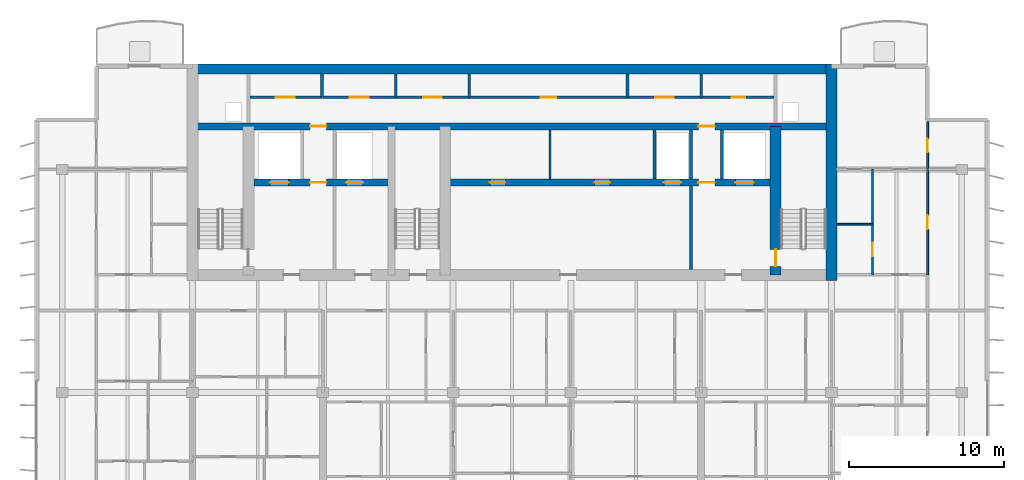
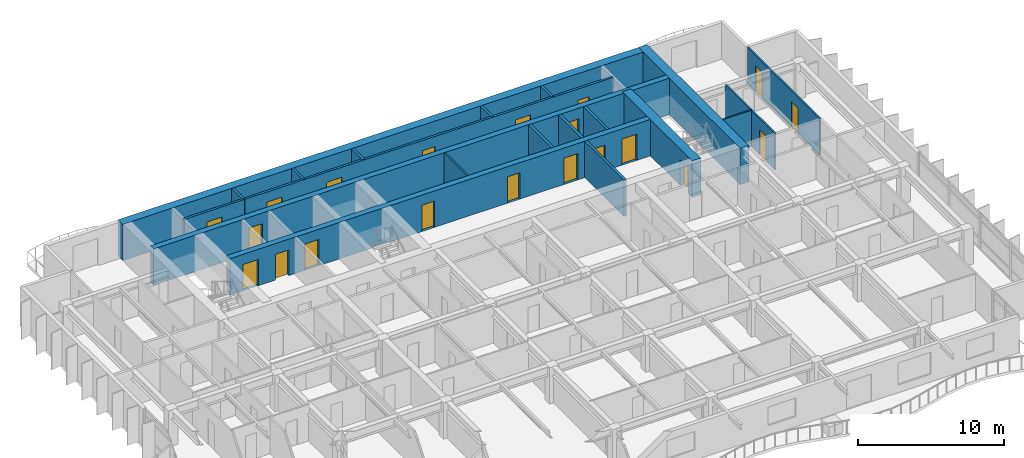
# One storey, part 10 of 16: 20 doors, 20 walls, 20 openings.
"""IFC4 building model written with IfcOpenShell, lengths in metres."""

from ifc_helpers import new_model, si_unit, direction, frame, frame_2d, origin, place, context, subcontext, project, spatial, rectangle, extrude, material, layer, layer_set, type_object, element, fill, save


model = new_model("IFC4")

# Units and contexts
model_context = context("Model", 3, precision=1e-05, world=origin(), true_north=direction((0.0, 1.0)))
body_context = subcontext(model_context, "Body", "Model", "MODEL_VIEW")
ifc_project = project(units=[si_unit("LENGTHUNIT", "METRE"), si_unit("AREAUNIT", "SQUARE_METRE"), si_unit("VOLUMEUNIT", "CUBIC_METRE"), si_unit("PLANEANGLEUNIT", "RADIAN"), si_unit("MASSUNIT", "GRAM", prefix="KILO")], contexts=[model_context])

# Site, building, storey
site_placement = place(None, origin())
site = spatial("IfcSite", under=ifc_project, at=site_placement, CompositionType="ELEMENT")
building_placement = place(site_placement, origin())
building = spatial("IfcBuilding", under=site, at=building_placement, Name="Caelmar Bay Residences", CompositionType="ELEMENT")
storey_placement = place(building_placement, frame((0.0, 0.0, 252.89990234375)))
storey = spatial("IfcBuildingStorey", under=building, at=storey_placement, Name="L71", CompositionType="ELEMENT", Elevation=252.89990234375)

# Wall
ifc_material_1 = material(Name="Concrete f'c 55 MPa (8,000 psi)", Category="concrete")
ifc_layer_1 = layer(ifc_material_1, 0.699951171875)
ifc_layer_set_1 = layer_set([ifc_layer_1], Name="Concrete f'c 55 MPa (8,000 psi)")
wall_type_1 = type_object("IfcWallType", Name="SW-COR-700", PredefinedType="SHEAR", material=ifc_layer_set_1)
wall_1_placement = place(storey_placement, frame((59.5, 36.64990234375, 0.0), z_axis=(0.0, 0.0, 1.0), x_axis=(0.0, 1.0, 0.0)))
element("IfcWall", 1, at=wall_1_placement, inside=storey, type_object=wall_type_1, Name="L71 Rear Core East Shear Wall", PredefinedType="SHEAR", context=body_context, shape_type="SweptSolid", body=[
    extrude(rectangle(XDim=13.9501953125, YDim=0.699951171875, at=frame_2d((6.97509765625, 0.0))), origin(), (0.0, 0.0, 1.0), 3.050048828125),
])

# Wall, opening, door
wall_2_placement = place(storey_placement, frame((55.89990234375, 37.0, 0.0), z_axis=(0.0, 0.0, 1.0), x_axis=(0.0, 1.0, 0.0)))
wall_2 = element("IfcWall", 2, at=wall_2_placement, inside=storey, type_object=wall_type_1, Name="L71 Core Structural Web Wall ST2W", PredefinedType="SHEAR", context=body_context, shape_type="SweptSolid", body=[
    extrude(rectangle(XDim=9.574951171875, YDim=0.699951171875, at=frame_2d((4.78759765625, 0.0))), origin(), (0.0, 0.0, 1.0), 3.050048828125),
])
opening_1_placement = place(wall_2_placement, frame((0.550048828125, 0.0, 0.0)))
opening_1 = element("IfcOpeningElement", 3, at=opening_1_placement, cuts=wall_2, Name="Opening D-L71-110", PredefinedType="OPENING", context=body_context, shape_type="SweptSolid", body=[
    extrude(rectangle(XDim=1.10009765625, YDim=2.14990234375, at=frame_2d((0.550048828125, 1.074951171875))), frame((0.0, 0.35986328125, 0.0), z_axis=(0.0, -1.0, 0.0), x_axis=(1.0, 0.0, 0.0)), (0.0, 0.0, 1.0), 0.719970703125),
])
ifc_material_2 = material(Name="Fire-rated steel and walnut architectural door assembly", Category="steel")
ifc_layer_2 = layer(ifc_material_2, 0.050048828125)
ifc_layer_set_2 = layer_set([ifc_layer_2], Name="Fire-rated steel and walnut architectural door assembly")
door_type_1 = type_object("IfcDoorType", Name="D-STAIR-1100", OperationType="NOTDEFINED", PredefinedType="DOOR", material=ifc_layer_set_2)
door_1_placement = place(opening_1_placement, origin())
door_1 = element("IfcDoor", 4, at=door_1_placement, inside=storey, type_object=door_type_1, Name="L71 Firefighting Lobby East Door", OperationType="SINGLE_SWING_LEFT", OverallHeight=2.14990234375, OverallWidth=1.10009765625, PredefinedType="DOOR", context=body_context, shape_type="SweptSolid", body=[
    extrude(rectangle(XDim=1.10009765625, YDim=2.14990234375, at=frame_2d((0.550048828125, 1.074951171875))), frame((0.0, 0.02490234375, 0.0), z_axis=(0.0, -1.0, 0.0), x_axis=(1.0, 0.0, 0.0)), (0.0, 0.0, 1.0), 0.050048828125),
])
fill(opening_1, door_1)

# Wall
ifc_layer_3 = layer(ifc_material_1, 0.64990234375)
ifc_layer_set_3 = layer_set([ifc_layer_3], Name="Concrete f'c 55 MPa (8,000 psi)")
wall_type_2 = type_object("IfcWallType", Name="SW-CORN-650", PredefinedType="SHEAR", material=ifc_layer_set_3)
wall_3_placement = place(storey_placement, frame((17.949951171875, 50.27490234375, 0.0), z_axis=(0.0, 0.0, 1.0), x_axis=(1.0, 0.0, 0.0)))
element("IfcWall", 5, at=wall_3_placement, inside=storey, type_object=wall_type_2, Name="L71 Rear Core North Shear Wall", PredefinedType="SHEAR", context=body_context, shape_type="SweptSolid", body=[
    extrude(rectangle(XDim=41.900146484375, YDim=0.64990234375, at=frame_2d((20.9501953125, 0.0))), origin(), (0.0, 0.0, 1.0), 3.050048828125),
])

# Wall, openings, doors
ifc_material_3 = material(Name="Concrete f'c 70 MPa (10,000 psi)", Category="concrete")
ifc_layer_4 = layer(ifc_material_3, 0.449951171875)
ifc_layer_set_4 = layer_set([ifc_layer_4], Name="Concrete f'c 70 MPa (10,000 psi)")
wall_type_3 = type_object("IfcWallType", Name="SW-WEB-450", PredefinedType="SHEAR", material=ifc_layer_set_4)
wall_4_placement = place(storey_placement, frame((22.25, 42.949951171875, 0.0), z_axis=(0.0, 0.0, 1.0), x_axis=(1.0, 0.0, 0.0)))
wall_4 = element("IfcWall", 6, at=wall_4_placement, inside=storey, type_object=wall_type_3, Name="L71 Core Structural Web Wall LFR", PredefinedType="SHEAR", context=body_context, shape_type="SweptSolid", body=[
    extrude(rectangle(XDim=33.300048828125, YDim=0.449951171875, at=frame_2d((16.64990234375, 0.0))), origin(), (0.0, 0.0, 1.0), 3.050048828125),
])
opening_2_placement = place(wall_4_placement, frame((1.050048828125, 0.0, 0.0)))
opening_2 = element("IfcOpeningElement", 7, at=opening_2_placement, cuts=wall_4, Name="Opening LD2", PredefinedType="OPENING", context=body_context, shape_type="SweptSolid", body=[
    extrude(rectangle(XDim=1.199951171875, YDim=2.199951171875, at=frame_2d((0.60009765625, 1.10009765625))), frame((0.0, 0.23486328125, 0.0), z_axis=(0.0, -1.0, 0.0), x_axis=(1.0, 0.0, 0.0)), (0.0, 0.0, 1.0), 0.469970703125),
])
opening_3_placement = place(wall_4_placement, frame((31.050048828125, 0.0, 0.0)))
opening_3 = element("IfcOpeningElement", 8, at=opening_3_placement, cuts=wall_4, Name="Opening LD2", PredefinedType="OPENING", context=body_context, shape_type="SweptSolid", body=[
    extrude(rectangle(XDim=1.199951171875, YDim=2.199951171875, at=frame_2d((0.60009765625, 1.10009765625))), frame((0.0, 0.23486328125, 0.0), z_axis=(0.0, -1.0, 0.0), x_axis=(1.0, 0.0, 0.0)), (0.0, 0.0, 1.0), 0.469970703125),
])
opening_4_placement = place(wall_4_placement, frame((26.449951171875, 0.0, 0.0)))
opening_4 = element("IfcOpeningElement", 9, at=opening_4_placement, cuts=wall_4, Name="Opening LD1", PredefinedType="OPENING", context=body_context, shape_type="SweptSolid", body=[
    extrude(rectangle(XDim=1.10009765625, YDim=2.199951171875, at=frame_2d((0.550048828125, 1.10009765625))), frame((0.0, 0.23486328125, 0.0), z_axis=(0.0, -1.0, 0.0), x_axis=(1.0, 0.0, 0.0)), (0.0, 0.0, 1.0), 0.469970703125),
])
opening_5_placement = place(wall_4_placement, frame((5.949951171875, 0.0, 0.0)))
opening_5 = element("IfcOpeningElement", 10, at=opening_5_placement, cuts=wall_4, Name="Opening LD1", PredefinedType="OPENING", context=body_context, shape_type="SweptSolid", body=[
    extrude(rectangle(XDim=1.10009765625, YDim=2.199951171875, at=frame_2d((0.550048828125, 1.10009765625))), frame((0.0, 0.23486328125, 0.0), z_axis=(0.0, -1.0, 0.0), x_axis=(1.0, 0.0, 0.0)), (0.0, 0.0, 1.0), 0.469970703125),
])
opening_6_placement = place(wall_4_placement, frame((3.625, 0.0, 0.0)))
opening_6 = element("IfcOpeningElement", 11, at=opening_6_placement, cuts=wall_4, Name="Opening D-L71-108", PredefinedType="OPENING", context=body_context, shape_type="SweptSolid", body=[
    extrude(rectangle(XDim=1.050048828125, YDim=2.14990234375, at=frame_2d((0.52490234375, 1.074951171875))), frame((0.0, 0.23486328125, 0.0), z_axis=(0.0, -1.0, 0.0), x_axis=(1.0, 0.0, 0.0)), (0.0, 0.0, 1.0), 0.469970703125),
])
opening_7_placement = place(wall_4_placement, frame((28.675048828125, 0.0, 0.0)))
opening_7 = element("IfcOpeningElement", 12, at=opening_7_placement, cuts=wall_4, Name="Opening D-L71-111", PredefinedType="OPENING", context=body_context, shape_type="SweptSolid", body=[
    extrude(rectangle(XDim=1.050048828125, YDim=2.14990234375, at=frame_2d((0.52490234375, 1.074951171875))), frame((0.0, 0.23486328125, 0.0), z_axis=(0.0, -1.0, 0.0), x_axis=(1.0, 0.0, 0.0)), (0.0, 0.0, 1.0), 0.469970703125),
])
opening_8_placement = place(wall_4_placement, frame((15.22509765625, 0.0, 0.0)))
opening_8 = element("IfcOpeningElement", 13, at=opening_8_placement, cuts=wall_4, Name="Opening D-L71-114", PredefinedType="OPENING", context=body_context, shape_type="SweptSolid", body=[
    extrude(rectangle(XDim=1.0, YDim=2.199951171875, at=frame_2d((0.5, 1.10009765625))), frame((0.0, 0.23486328125, 0.0), z_axis=(0.0, -1.0, 0.0), x_axis=(1.0, 0.0, 0.0)), (0.0, 0.0, 1.0), 0.469970703125),
])
opening_9_placement = place(wall_4_placement, frame((21.97509765625, 0.0, 0.0)))
opening_9 = element("IfcOpeningElement", 14, at=opening_9_placement, cuts=wall_4, Name="Opening D-L71-115", PredefinedType="OPENING", context=body_context, shape_type="SweptSolid", body=[
    extrude(rectangle(XDim=1.0, YDim=2.199951171875, at=frame_2d((0.5, 1.10009765625))), frame((0.0, 0.23486328125, 0.0), z_axis=(0.0, -1.0, 0.0), x_axis=(1.0, 0.0, 0.0)), (0.0, 0.0, 1.0), 0.469970703125),
])
ifc_layer_5 = layer(ifc_material_2, 0.050048828125)
ifc_layer_set_5 = layer_set([ifc_layer_5], Name="Fire-rated steel and walnut architectural door assembly")
door_type_2 = type_object("IfcDoorType", Name="D-FSAE-1050", OperationType="NOTDEFINED", PredefinedType="DOOR", material=ifc_layer_set_5)
door_2_placement = place(opening_6_placement, origin())
door_2 = element("IfcDoor", 15, at=door_2_placement, inside=storey, type_object=door_type_2, Name="L71 Firefighting Lobby West Door", OperationType="SINGLE_SWING_LEFT", OverallHeight=2.14990234375, OverallWidth=1.050048828125, PredefinedType="DOOR", context=body_context, shape_type="SweptSolid", body=[
    extrude(rectangle(XDim=1.050048828125, YDim=2.14990234375, at=frame_2d((0.52490234375, 1.074951171875))), frame((0.0, 0.02490234375, 0.0), z_axis=(0.0, -1.0, 0.0), x_axis=(1.0, 0.0, 0.0)), (0.0, 0.0, 1.0), 0.050048828125),
])
fill(opening_6, door_2)
door_3_placement = place(opening_7_placement, origin())
door_3 = element("IfcDoor", 16, at=door_3_placement, inside=storey, type_object=door_type_2, Name="L71 Firefighting Lobby East Door", OperationType="SINGLE_SWING_RIGHT", OverallHeight=2.14990234375, OverallWidth=1.050048828125, PredefinedType="DOOR", context=body_context, shape_type="SweptSolid", body=[
    extrude(rectangle(XDim=1.050048828125, YDim=2.14990234375, at=frame_2d((0.52490234375, 1.074951171875))), frame((0.0, 0.02490234375, 0.0), z_axis=(0.0, -1.0, 0.0), x_axis=(1.0, 0.0, 0.0)), (0.0, 0.0, 1.0), 0.050048828125),
])
fill(opening_7, door_3)
ifc_material_4 = material(Name="Brushed bronze stainless-steel fire-rated lift landing doors", Category="steel")
ifc_layer_6 = layer(ifc_material_4, 0.050048828125)
ifc_layer_set_6 = layer_set([ifc_layer_6], Name="Brushed bronze stainless-steel fire-rated lift landing doors")
door_type_3 = type_object("IfcDoorType", Name="D-LND-1100", OperationType="DOUBLE_DOOR_SLIDING", PredefinedType="DOOR", material=ifc_layer_set_6)
door_4_placement = place(opening_4_placement, origin())
door_4 = element("IfcDoor", 17, at=door_4_placement, inside=storey, type_object=door_type_3, Name="L71 LP6 Sliding Landing Door", OperationType="DOUBLE_DOOR_SLIDING", OverallHeight=2.199951171875, OverallWidth=1.10009765625, PredefinedType="DOOR", context=body_context, shape_type="SweptSolid", body=[
    extrude(rectangle(XDim=1.10009765625, YDim=2.199951171875, at=frame_2d((0.550048828125, 1.10009765625))), frame((0.0, 0.02490234375, 0.0), z_axis=(0.0, -1.0, 0.0), x_axis=(1.0, 0.0, 0.0)), (0.0, 0.0, 1.0), 0.050048828125),
])
fill(opening_4, door_4)
door_5_placement = place(opening_5_placement, origin())
door_5 = element("IfcDoor", 18, at=door_5_placement, inside=storey, type_object=door_type_3, Name="L71 LP7 Sliding Landing Door", OperationType="DOUBLE_DOOR_SLIDING", OverallHeight=2.199951171875, OverallWidth=1.10009765625, PredefinedType="DOOR", context=body_context, shape_type="SweptSolid", body=[
    extrude(rectangle(XDim=1.10009765625, YDim=2.199951171875, at=frame_2d((0.550048828125, 1.10009765625))), frame((0.0, 0.02490234375, 0.0), z_axis=(0.0, -1.0, 0.0), x_axis=(1.0, 0.0, 0.0)), (0.0, 0.0, 1.0), 0.050048828125),
])
fill(opening_5, door_5)
ifc_material_5 = material(Name="Brushed stainless-steel FSAE sliding landing door", Category="steel")
ifc_layer_7 = layer(ifc_material_5, 0.050048828125)
ifc_layer_set_7 = layer_set([ifc_layer_7], Name="Brushed stainless-steel FSAE sliding landing door")
door_type_4 = type_object("IfcDoorType", Name="D-LND-1200", OperationType="DOUBLE_DOOR_SLIDING", PredefinedType="DOOR", material=ifc_layer_set_7)
door_6_placement = place(opening_2_placement, origin())
door_6 = element("IfcDoor", 19, at=door_6_placement, inside=storey, type_object=door_type_4, Name="L71 LF1 Sliding Landing Door", OperationType="DOUBLE_DOOR_SLIDING", OverallHeight=2.199951171875, OverallWidth=1.199951171875, PredefinedType="DOOR", context=body_context, shape_type="SweptSolid", body=[
    extrude(rectangle(XDim=1.199951171875, YDim=2.199951171875, at=frame_2d((0.60009765625, 1.10009765625))), frame((0.0, 0.02490234375, 0.0), z_axis=(0.0, -1.0, 0.0), x_axis=(1.0, 0.0, 0.0)), (0.0, 0.0, 1.0), 0.050048828125),
])
fill(opening_2, door_6)
door_7_placement = place(opening_3_placement, origin())
door_7 = element("IfcDoor", 20, at=door_7_placement, inside=storey, type_object=door_type_4, Name="L71 LF2 Sliding Landing Door", OperationType="DOUBLE_DOOR_SLIDING", OverallHeight=2.199951171875, OverallWidth=1.199951171875, PredefinedType="DOOR", context=body_context, shape_type="SweptSolid", body=[
    extrude(rectangle(XDim=1.199951171875, YDim=2.199951171875, at=frame_2d((0.60009765625, 1.10009765625))), frame((0.0, 0.02490234375, 0.0), z_axis=(0.0, -1.0, 0.0), x_axis=(1.0, 0.0, 0.0)), (0.0, 0.0, 1.0), 0.050048828125),
])
fill(opening_3, door_7)
ifc_layer_8 = layer(ifc_material_2, 0.050048828125)
ifc_layer_set_8 = layer_set([ifc_layer_8], Name="Fire-rated steel and walnut architectural door assembly")
door_type_5 = type_object("IfcDoorType", Name="D-UNIT-1000", OperationType="NOTDEFINED", PredefinedType="DOOR", material=ifc_layer_set_8)
door_8_placement = place(opening_8_placement, origin())
door_8 = element("IfcDoor", 21, at=door_8_placement, inside=storey, type_object=door_type_5, Name="L71 Music Study Room Door", OperationType="SINGLE_SWING_LEFT", OverallHeight=2.199951171875, OverallWidth=1.0, PredefinedType="DOOR", context=body_context, shape_type="SweptSolid", body=[
    extrude(rectangle(XDim=1.0, YDim=2.199951171875, at=frame_2d((0.5, 1.10009765625))), frame((0.0, 0.02490234375, 0.0), z_axis=(0.0, -1.0, 0.0), x_axis=(1.0, 0.0, 0.0)), (0.0, 0.0, 1.0), 0.050048828125),
])
fill(opening_8, door_8)
door_9_placement = place(opening_9_placement, origin())
door_9 = element("IfcDoor", 22, at=door_9_placement, inside=storey, type_object=door_type_5, Name="L71 Board Meeting Room Door", OperationType="SINGLE_SWING_RIGHT", OverallHeight=2.199951171875, OverallWidth=1.0, PredefinedType="DOOR", context=body_context, shape_type="SweptSolid", body=[
    extrude(rectangle(XDim=1.0, YDim=2.199951171875, at=frame_2d((0.5, 1.10009765625))), frame((0.0, 0.02490234375, 0.0), z_axis=(0.0, -1.0, 0.0), x_axis=(1.0, 0.0, 0.0)), (0.0, 0.0, 1.0), 0.050048828125),
])
fill(opening_9, door_9)

wall_5_placement = place(storey_placement, frame((18.300048828125, 46.574951171875, 0.0), z_axis=(0.0, 0.0, 1.0), x_axis=(1.0, 0.0, 0.0)))
wall_5 = element("IfcWall", 23, at=wall_5_placement, inside=storey, type_object=wall_type_3, Name="L71 Core Structural Web Wall SRVS", PredefinedType="SHEAR", context=body_context, shape_type="SweptSolid", body=[
    extrude(rectangle(XDim=41.199951171875, YDim=0.449951171875, at=frame_2d((20.60009765625, 0.0))), origin(), (0.0, 0.0, 1.0), 3.050048828125),
])
opening_10_placement = place(wall_5_placement, frame((7.574951171875, 0.0, 0.0)))
opening_10 = element("IfcOpeningElement", 24, at=opening_10_placement, cuts=wall_5, Name="Opening D-L71-116", PredefinedType="OPENING", context=body_context, shape_type="SweptSolid", body=[
    extrude(rectangle(XDim=1.050048828125, YDim=2.14990234375, at=frame_2d((0.52490234375, 1.074951171875))), frame((0.0, 0.23486328125, 0.0), z_axis=(0.0, -1.0, 0.0), x_axis=(1.0, 0.0, 0.0)), (0.0, 0.0, 1.0), 0.469970703125),
])
opening_11_placement = place(wall_5_placement, frame((32.625, 0.0, 0.0)))
opening_11 = element("IfcOpeningElement", 25, at=opening_11_placement, cuts=wall_5, Name="Opening D-L71-117", PredefinedType="OPENING", context=body_context, shape_type="SweptSolid", body=[
    extrude(rectangle(XDim=1.050048828125, YDim=2.14990234375, at=frame_2d((0.52490234375, 1.074951171875))), frame((0.0, 0.23486328125, 0.0), z_axis=(0.0, -1.0, 0.0), x_axis=(1.0, 0.0, 0.0)), (0.0, 0.0, 1.0), 0.469970703125),
])
door_10_placement = place(opening_10_placement, origin())
door_10 = element("IfcDoor", 26, at=door_10_placement, inside=storey, type_object=door_type_2, Name="L71 Core Service Corridor Door", OperationType="SINGLE_SWING_LEFT", OverallHeight=2.14990234375, OverallWidth=1.050048828125, PredefinedType="DOOR", context=body_context, shape_type="SweptSolid", body=[
    extrude(rectangle(XDim=1.050048828125, YDim=2.14990234375, at=frame_2d((0.52490234375, 1.074951171875))), frame((0.0, 0.02490234375, 0.0), z_axis=(0.0, -1.0, 0.0), x_axis=(1.0, 0.0, 0.0)), (0.0, 0.0, 1.0), 0.050048828125),
])
fill(opening_10, door_10)
door_11_placement = place(opening_11_placement, origin())
door_11 = element("IfcDoor", 27, at=door_11_placement, inside=storey, type_object=door_type_2, Name="L71 Core Service Corridor Door", OperationType="SINGLE_SWING_RIGHT", OverallHeight=2.14990234375, OverallWidth=1.050048828125, PredefinedType="DOOR", context=body_context, shape_type="SweptSolid", body=[
    extrude(rectangle(XDim=1.050048828125, YDim=2.14990234375, at=frame_2d((0.52490234375, 1.074951171875))), frame((0.0, 0.02490234375, 0.0), z_axis=(0.0, -1.0, 0.0), x_axis=(1.0, 0.0, 0.0)), (0.0, 0.0, 1.0), 0.050048828125),
])
fill(opening_11, door_11)

# Walls
ifc_material_6 = material(Name="Double-stud acoustic fire-rated gypsum partition 180 mm")
ifc_layer_9 = layer(ifc_material_6, 0.179931640625)
ifc_layer_set_9 = layer_set([ifc_layer_9], Name="Double-stud acoustic fire-rated gypsum partition 180 mm")
wall_type_4 = type_object("IfcWallType", Name="W-COR-200", PredefinedType="PARTITIONING", material=ifc_layer_set_9)
for number, where, z_axis, x_axis, name in (
    (28, (26.64990234375, 48.449951171875, 0.0), (0.0, 0.0, 1.0), (0.0, 1.0, 0.0), "L71 Partition Wall V020"),
    (29, (31.39990234375, 48.449951171875, 0.0), (0.0, 0.0, 1.0), (0.0, 1.0, 0.0), "L71 Partition Wall V028"),
    (30, (36.14990234375, 48.449951171875, 0.0), (0.0, 0.0, 1.0), (0.0, 1.0, 0.0), "L71 Partition Wall V034"),
    (31, (46.35009765625, 48.449951171875, 0.0), (0.0, 0.0, 1.0), (0.0, 1.0, 0.0), "L71 Partition Wall V041"),
    (32, (51.10009765625, 48.449951171875, 0.0), (0.0, 0.0, 1.0), (0.0, 1.0, 0.0), "L71 Partition Wall V051"),
):
    element("IfcWall", number, at=place(storey_placement, frame(where, z_axis=z_axis, x_axis=x_axis)), inside=storey, type_object=wall_type_4, Name=name, PredefinedType="PARTITIONING", context=body_context, shape_type="SweptSolid", body=[
        extrude(rectangle(XDim=1.505126953125, YDim=0.179931640625, at=frame_2d((0.75244140625, 0.0))), origin(), (0.0, 0.0, 1.0), 3.050048828125),
    ])

# Wall, opening, door
wall_6_placement = place(storey_placement, frame((21.89990234375, 48.449951171875, 0.0), z_axis=(0.0, 0.0, 1.0), x_axis=(1.0, 0.0, 0.0)))
wall_6 = element("IfcWall", 33, at=wall_6_placement, inside=storey, type_object=wall_type_4, Name="L71 Partition Wall H094", PredefinedType="PARTITIONING", context=body_context, shape_type="SweptSolid", body=[
    extrude(rectangle(XDim=4.75, YDim=0.179931640625, at=frame_2d((2.375, 0.0))), origin(), (0.0, 0.0, 1.0), 3.050048828125),
])
opening_12_placement = place(wall_6_placement, frame((1.77490234375, 0.0, 0.0)))
opening_12 = element("IfcOpeningElement", 34, at=opening_12_placement, cuts=wall_6, Name="Opening D-L71-118", PredefinedType="OPENING", context=body_context, shape_type="SweptSolid", body=[
    extrude(rectangle(XDim=1.199951171875, YDim=2.199951171875, at=frame_2d((0.60009765625, 1.10009765625))), frame((0.0, 0.099853515625, 0.0), z_axis=(0.0, -1.0, 0.0), x_axis=(1.0, 0.0, 0.0)), (0.0, 0.0, 1.0), 0.199951171875),
])
ifc_layer_10 = layer(ifc_material_2, 0.050048828125)
ifc_layer_set_10 = layer_set([ifc_layer_10], Name="Fire-rated steel and walnut architectural door assembly")
door_type_6 = type_object("IfcDoorType", Name="D-PLANT-1200", OperationType="NOTDEFINED", PredefinedType="DOOR", material=ifc_layer_set_10)
door_12_placement = place(opening_12_placement, origin())
door_12 = element("IfcDoor", 35, at=door_12_placement, inside=storey, type_object=door_type_6, Name="L71 Branch Panel Closet Door", OperationType="SINGLE_SWING_LEFT", OverallHeight=2.199951171875, OverallWidth=1.199951171875, PredefinedType="DOOR", context=body_context, shape_type="SweptSolid", body=[
    extrude(rectangle(XDim=1.199951171875, YDim=2.199951171875, at=frame_2d((0.60009765625, 1.10009765625))), frame((0.0, 0.02490234375, 0.0), z_axis=(0.0, -1.0, 0.0), x_axis=(1.0, 0.0, 0.0)), (0.0, 0.0, 1.0), 0.050048828125),
])
fill(opening_12, door_12)

# Wall, openings, doors
wall_7_placement = place(storey_placement, frame((26.699951171875, 48.449951171875, 0.0), z_axis=(0.0, 0.0, 1.0), x_axis=(1.0, 0.0, 0.0)))
wall_7 = element("IfcWall", 36, at=wall_7_placement, inside=storey, type_object=wall_type_4, Name="L71 Partition Wall H095", PredefinedType="PARTITIONING", context=body_context, shape_type="SweptSolid", body=[
    extrude(rectangle(XDim=29.199951171875, YDim=0.179931640625, at=frame_2d((14.60009765625, 0.0))), origin(), (0.0, 0.0, 1.0), 3.050048828125),
])
opening_13_placement = place(wall_7_placement, frame((1.75, 0.0, 0.0)))
opening_13 = element("IfcOpeningElement", 37, at=opening_13_placement, cuts=wall_7, Name="Opening D-L71-119", PredefinedType="OPENING", context=body_context, shape_type="SweptSolid", body=[
    extrude(rectangle(XDim=1.199951171875, YDim=2.199951171875, at=frame_2d((0.60009765625, 1.10009765625))), frame((0.0, 0.099853515625, 0.0), z_axis=(0.0, -1.0, 0.0), x_axis=(1.0, 0.0, 0.0)), (0.0, 0.0, 1.0), 0.199951171875),
])
opening_14_placement = place(wall_7_placement, frame((6.47509765625, 0.0, 0.0)))
opening_14 = element("IfcOpeningElement", 38, at=opening_14_placement, cuts=wall_7, Name="Opening D-L71-120", PredefinedType="OPENING", context=body_context, shape_type="SweptSolid", body=[
    extrude(rectangle(XDim=1.199951171875, YDim=2.199951171875, at=frame_2d((0.60009765625, 1.10009765625))), frame((0.0, 0.099853515625, 0.0), z_axis=(0.0, -1.0, 0.0), x_axis=(1.0, 0.0, 0.0)), (0.0, 0.0, 1.0), 0.199951171875),
])
opening_15_placement = place(wall_7_placement, frame((14.050048828125, 0.0, 0.0)))
opening_15 = element("IfcOpeningElement", 39, at=opening_15_placement, cuts=wall_7, Name="Opening D-L71-121", PredefinedType="OPENING", context=body_context, shape_type="SweptSolid", body=[
    extrude(rectangle(XDim=1.0, YDim=2.199951171875, at=frame_2d((0.5, 1.10009765625))), frame((0.0, 0.099853515625, 0.0), z_axis=(0.0, -1.0, 0.0), x_axis=(1.0, 0.0, 0.0)), (0.0, 0.0, 1.0), 0.199951171875),
])
opening_16_placement = place(wall_7_placement, frame((21.425048828125, 0.0, 0.0)))
opening_16 = element("IfcOpeningElement", 40, at=opening_16_placement, cuts=wall_7, Name="Opening D-L71-122", PredefinedType="OPENING", context=body_context, shape_type="SweptSolid", body=[
    extrude(rectangle(XDim=1.199951171875, YDim=2.199951171875, at=frame_2d((0.60009765625, 1.10009765625))), frame((0.0, 0.099853515625, 0.0), z_axis=(0.0, -1.0, 0.0), x_axis=(1.0, 0.0, 0.0)), (0.0, 0.0, 1.0), 0.199951171875),
])
opening_17_placement = place(wall_7_placement, frame((26.375, 0.0, 0.0)))
opening_17 = element("IfcOpeningElement", 41, at=opening_17_placement, cuts=wall_7, Name="Opening D-L71-123", PredefinedType="OPENING", context=body_context, shape_type="SweptSolid", body=[
    extrude(rectangle(XDim=0.85009765625, YDim=2.10009765625, at=frame_2d((0.425048828125, 1.050048828125))), frame((0.0, 0.099853515625, 0.0), z_axis=(0.0, -1.0, 0.0), x_axis=(1.0, 0.0, 0.0)), (0.0, 0.0, 1.0), 0.199951171875),
])
ifc_layer_11 = layer(ifc_material_2, 0.050048828125)
ifc_layer_set_11 = layer_set([ifc_layer_11], Name="Fire-rated steel and walnut architectural door assembly")
door_type_7 = type_object("IfcDoorType", Name="D-CORE-850", OperationType="NOTDEFINED", PredefinedType="DOOR", material=ifc_layer_set_11)
door_13_placement = place(opening_17_placement, origin())
door_13 = element("IfcDoor", 42, at=door_13_placement, inside=storey, type_object=door_type_7, Name="L71 Staff Restroom Door", OperationType="SINGLE_SWING_RIGHT", OverallHeight=2.10009765625, OverallWidth=0.85009765625, PredefinedType="DOOR", context=body_context, shape_type="SweptSolid", body=[
    extrude(rectangle(XDim=0.85009765625, YDim=2.10009765625, at=frame_2d((0.425048828125, 1.050048828125))), frame((0.0, 0.02490234375, 0.0), z_axis=(0.0, -1.0, 0.0), x_axis=(1.0, 0.0, 0.0)), (0.0, 0.0, 1.0), 0.050048828125),
])
fill(opening_17, door_13)
door_14_placement = place(opening_13_placement, origin())
door_14 = element("IfcDoor", 43, at=door_14_placement, inside=storey, type_object=door_type_6, Name="L71 Water Meter Closet Door", OperationType="SINGLE_SWING_RIGHT", OverallHeight=2.199951171875, OverallWidth=1.199951171875, PredefinedType="DOOR", context=body_context, shape_type="SweptSolid", body=[
    extrude(rectangle(XDim=1.199951171875, YDim=2.199951171875, at=frame_2d((0.60009765625, 1.10009765625))), frame((0.0, 0.02490234375, 0.0), z_axis=(0.0, -1.0, 0.0), x_axis=(1.0, 0.0, 0.0)), (0.0, 0.0, 1.0), 0.050048828125),
])
fill(opening_13, door_14)
door_15_placement = place(opening_14_placement, origin())
door_15 = element("IfcDoor", 44, at=door_15_placement, inside=storey, type_object=door_type_6, Name="L71 Low-Voltage Data Closet Door", OperationType="SINGLE_SWING_LEFT", OverallHeight=2.199951171875, OverallWidth=1.199951171875, PredefinedType="DOOR", context=body_context, shape_type="SweptSolid", body=[
    extrude(rectangle(XDim=1.199951171875, YDim=2.199951171875, at=frame_2d((0.60009765625, 1.10009765625))), frame((0.0, 0.02490234375, 0.0), z_axis=(0.0, -1.0, 0.0), x_axis=(1.0, 0.0, 0.0)), (0.0, 0.0, 1.0), 0.050048828125),
])
fill(opening_14, door_15)
door_16_placement = place(opening_16_placement, origin())
door_16 = element("IfcDoor", 45, at=door_16_placement, inside=storey, type_object=door_type_6, Name="L71 Valet Trunk Closet Door", OperationType="SINGLE_SWING_LEFT", OverallHeight=2.199951171875, OverallWidth=1.199951171875, PredefinedType="DOOR", context=body_context, shape_type="SweptSolid", body=[
    extrude(rectangle(XDim=1.199951171875, YDim=2.199951171875, at=frame_2d((0.60009765625, 1.10009765625))), frame((0.0, 0.02490234375, 0.0), z_axis=(0.0, -1.0, 0.0), x_axis=(1.0, 0.0, 0.0)), (0.0, 0.0, 1.0), 0.050048828125),
])
fill(opening_16, door_16)
door_17_placement = place(opening_15_placement, origin())
door_17 = element("IfcDoor", 46, at=door_17_placement, inside=storey, type_object=door_type_5, Name="L71 Mail Sorting Office Door", OperationType="SINGLE_SWING_RIGHT", OverallHeight=2.199951171875, OverallWidth=1.0, PredefinedType="DOOR", context=body_context, shape_type="SweptSolid", body=[
    extrude(rectangle(XDim=1.0, YDim=2.199951171875, at=frame_2d((0.5, 1.10009765625))), frame((0.0, 0.02490234375, 0.0), z_axis=(0.0, -1.0, 0.0), x_axis=(1.0, 0.0, 0.0)), (0.0, 0.0, 1.0), 0.050048828125),
])
fill(opening_15, door_17)

# Walls
ifc_material_7 = material(Name="Fire-rated masonry and gypsum shaftliner assembly 200 mm", Category="masonry")
ifc_layer_12 = layer(ifc_material_7, 0.199951171875)
ifc_layer_set_12 = layer_set([ifc_layer_12], Name="Fire-rated masonry and gypsum shaftliner assembly 200 mm")
wall_type_5 = type_object("IfcWallType", Name="W-FSAE-200", PredefinedType="PARTITIONING", material=ifc_layer_set_12)
wall_8_placement = place(storey_placement, frame((48.10009765625, 43.169921875, 0.0), z_axis=(0.0, 0.0, 1.0), x_axis=(0.0, 1.0, 0.0)))
element("IfcWall", 47, at=wall_8_placement, inside=storey, type_object=wall_type_5, Name="L71 Partition Wall V042", PredefinedType="PARTITIONING", context=body_context, shape_type="SweptSolid", body=[
    extrude(rectangle(XDim=3.18505859375, YDim=0.199951171875, at=frame_2d((1.592529296875, 0.0))), origin(), (0.0, 0.0, 1.0), 3.050048828125),
])
wall_9_placement = place(storey_placement, frame((50.449951171875, 37.344970703125, 0.0), z_axis=(0.0, 0.0, 1.0), x_axis=(0.0, 1.0, 0.0)))
element("IfcWall", 48, at=wall_9_placement, inside=storey, type_object=wall_type_5, Name="L71 Partition Wall V045", PredefinedType="PARTITIONING", context=body_context, shape_type="SweptSolid", body=[
    extrude(rectangle(XDim=5.385009765625, YDim=0.199951171875, at=frame_2d((2.6923828125, 0.0))), origin(), (0.0, 0.0, 1.0), 3.050048828125),
])
for number, where, z_axis, x_axis, name in (
    (49, (50.449951171875, 43.169921875, 0.0), (0.0, 0.0, 1.0), (0.0, 1.0, 0.0), "L71 Partition Wall V046"),
    (50, (52.449951171875, 43.169921875, 0.0), (0.0, 0.0, 1.0), (0.0, 1.0, 0.0), "L71 Partition Wall V052"),
):
    element("IfcWall", number, at=place(storey_placement, frame(where, z_axis=z_axis, x_axis=x_axis)), inside=storey, type_object=wall_type_5, Name=name, PredefinedType="PARTITIONING", context=body_context, shape_type="SweptSolid", body=[
        extrude(rectangle(XDim=3.18505859375, YDim=0.199951171875, at=frame_2d((1.592529296875, 0.0))), origin(), (0.0, 0.0, 1.0), 3.050048828125),
    ])
ifc_material_8 = material(Name="Acoustic metal-stud gypsum partition 120 mm")
ifc_layer_13 = layer(ifc_material_8, 0.1201171875)
ifc_layer_set_13 = layer_set([ifc_layer_13], Name="Acoustic metal-stud gypsum partition 120 mm")
wall_type_6 = type_object("IfcWallType", Name="W-PRT-120", PredefinedType="PARTITIONING", material=ifc_layer_set_13)
wall_10_placement = place(storey_placement, frame((41.35009765625, 43.169921875, 0.0), z_axis=(0.0, 0.0, 1.0), x_axis=(0.0, 1.0, 0.0)))
element("IfcWall", 51, at=wall_10_placement, inside=storey, type_object=wall_type_6, Name="L71 Partition Wall V037", PredefinedType="PARTITIONING", context=body_context, shape_type="SweptSolid", body=[
    extrude(rectangle(XDim=3.18505859375, YDim=0.1201171875, at=frame_2d((1.592529296875, 0.0))), origin(), (0.0, 0.0, 1.0), 3.050048828125),
])

# Wall, opening, door
wall_11_placement = place(storey_placement, frame((62.14990234375, 37.0, 0.0), z_axis=(0.0, 0.0, 1.0), x_axis=(0.0, 1.0, 0.0)))
wall_11 = element("IfcWall", 52, at=wall_11_placement, inside=storey, type_object=wall_type_6, Name="L71 Partition Wall V060", PredefinedType="PARTITIONING", context=body_context, shape_type="SweptSolid", body=[
    extrude(rectangle(XDim=6.800048828125, YDim=0.1201171875, at=frame_2d((3.39990234375, 0.0))), origin(), (0.0, 0.0, 1.0), 3.050048828125),
])
opening_18_placement = place(wall_11_placement, frame((1.20703125, 0.0, 0.0)))
opening_18 = element("IfcOpeningElement", 53, at=opening_18_placement, cuts=wall_11, Name="Opening D-L71-172", PredefinedType="OPENING", context=body_context, shape_type="SweptSolid", body=[
    extrude(rectangle(XDim=0.85009765625, YDim=2.10009765625, at=frame_2d((0.425048828125, 1.050048828125))), frame((0.0, 0.070068359375, 0.0), z_axis=(0.0, -1.0, 0.0), x_axis=(1.0, 0.0, 0.0)), (0.0, 0.0, 1.0), 0.14013671875),
])
ifc_material_9 = material(Name="Solid walnut timber interior door leaf and frame", Category="wood")
ifc_layer_14 = layer(ifc_material_9, 0.050048828125)
ifc_layer_set_14 = layer_set([ifc_layer_14], Name="Solid walnut timber interior door leaf and frame")
door_type_8 = type_object("IfcDoorType", Name="D-BATH-850", OperationType="NOTDEFINED", PredefinedType="DOOR", material=ifc_layer_set_14)
door_18_placement = place(opening_18_placement, origin())
door_18 = element("IfcDoor", 54, at=door_18_placement, inside=storey, type_object=door_type_8, Name="L71 Residence EA Walk-In Closet Door", OperationType="SINGLE_SWING_LEFT", OverallHeight=2.10009765625, OverallWidth=0.85009765625, PredefinedType="DOOR", context=body_context, shape_type="SweptSolid", body=[
    extrude(rectangle(XDim=0.85009765625, YDim=2.10009765625, at=frame_2d((0.425048828125, 1.050048828125))), frame((0.0, 0.02490234375, 0.0), z_axis=(0.0, -1.0, 0.0), x_axis=(1.0, 0.0, 0.0)), (0.0, 0.0, 1.0), 0.050048828125),
])
fill(opening_18, door_18)

# Wall, openings, doors
wall_12_placement = place(storey_placement, frame((65.699951171875, 37.0048828125, 0.0), z_axis=(0.0, 0.0, 1.0), x_axis=(0.0, 1.0, 0.0)))
wall_12 = element("IfcWall", 55, at=wall_12_placement, inside=storey, type_object=wall_type_6, Name="L71 Partition Wall V066", PredefinedType="PARTITIONING", context=body_context, shape_type="SweptSolid", body=[
    extrude(rectangle(XDim=9.875, YDim=0.1201171875, at=frame_2d((4.9375, 0.0))), origin(), (0.0, 0.0, 1.0), 3.050048828125),
])
opening_19_placement = place(wall_12_placement, frame((2.947509765625, 0.0, 0.0)))
opening_19 = element("IfcOpeningElement", 56, at=opening_19_placement, cuts=wall_12, Name="Opening D-L71-174", PredefinedType="OPENING", context=body_context, shape_type="SweptSolid", body=[
    extrude(rectangle(XDim=0.89990234375, YDim=2.14990234375, at=frame_2d((0.449951171875, 1.074951171875))), frame((0.0, 0.070068359375, 0.0), z_axis=(0.0, -1.0, 0.0), x_axis=(1.0, 0.0, 0.0)), (0.0, 0.0, 1.0), 0.14013671875),
])
opening_20_placement = place(wall_12_placement, frame((7.885009765625, 0.0, 0.0)))
opening_20 = element("IfcOpeningElement", 57, at=opening_20_placement, cuts=wall_12, Name="Opening D-L71-175", PredefinedType="OPENING", context=body_context, shape_type="SweptSolid", body=[
    extrude(rectangle(XDim=0.89990234375, YDim=2.14990234375, at=frame_2d((0.449951171875, 1.074951171875))), frame((0.0, 0.070068359375, 0.0), z_axis=(0.0, -1.0, 0.0), x_axis=(1.0, 0.0, 0.0)), (0.0, 0.0, 1.0), 0.14013671875),
])
ifc_layer_15 = layer(ifc_material_9, 0.050048828125)
ifc_layer_set_15 = layer_set([ifc_layer_15], Name="Solid walnut timber interior door leaf and frame")
door_type_9 = type_object("IfcDoorType", Name="D-ROOM-900", OperationType="NOTDEFINED", PredefinedType="DOOR", material=ifc_layer_set_15)
door_19_placement = place(opening_19_placement, origin())
door_19 = element("IfcDoor", 58, at=door_19_placement, inside=storey, type_object=door_type_9, Name="L71 Residence EA Sun Study Door", OperationType="SINGLE_SWING_LEFT", OverallHeight=2.14990234375, OverallWidth=0.89990234375, PredefinedType="DOOR", context=body_context, shape_type="SweptSolid", body=[
    extrude(rectangle(XDim=0.89990234375, YDim=2.14990234375, at=frame_2d((0.449951171875, 1.074951171875))), frame((0.0, 0.02490234375, 0.0), z_axis=(0.0, -1.0, 0.0), x_axis=(1.0, 0.0, 0.0)), (0.0, 0.0, 1.0), 0.050048828125),
])
fill(opening_19, door_19)
door_20_placement = place(opening_20_placement, origin())
door_20 = element("IfcDoor", 59, at=door_20_placement, inside=storey, type_object=door_type_9, Name="L71 Residence EA North Sitting Alcove Door", OperationType="SINGLE_SWING_RIGHT", OverallHeight=2.14990234375, OverallWidth=0.89990234375, PredefinedType="DOOR", context=body_context, shape_type="SweptSolid", body=[
    extrude(rectangle(XDim=0.89990234375, YDim=2.14990234375, at=frame_2d((0.449951171875, 1.074951171875))), frame((0.0, 0.02490234375, 0.0), z_axis=(0.0, -1.0, 0.0), x_axis=(1.0, 0.0, 0.0)), (0.0, 0.0, 1.0), 0.050048828125),
])
fill(opening_20, door_20)

# Wall
wall_13_placement = place(storey_placement, frame((59.844970703125, 40.263916015625, 0.0), z_axis=(0.0, 0.0, 1.0), x_axis=(1.0, 0.0, 0.0)))
element("IfcWall", 60, at=wall_13_placement, inside=storey, type_object=wall_type_6, Name="L71 Partition Wall H091", PredefinedType="PARTITIONING", context=body_context, shape_type="SweptSolid", body=[
    extrude(rectangle(XDim=2.304931640625, YDim=0.1201171875, at=frame_2d((1.15234375, 0.0))), origin(), (0.0, 0.0, 1.0), 3.050048828125),
])

save(model, "model.ifc")
